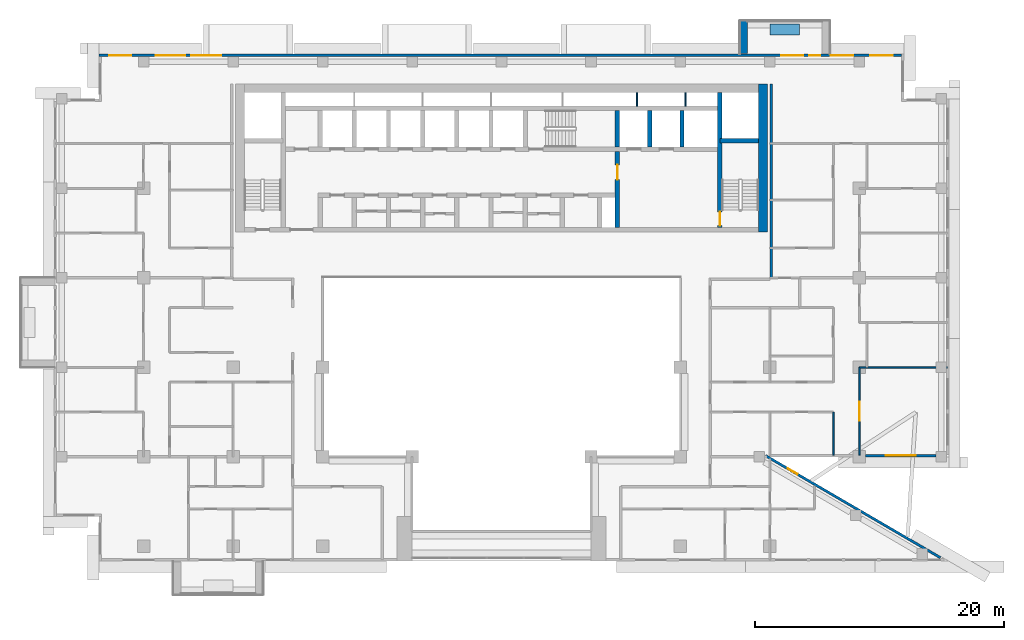
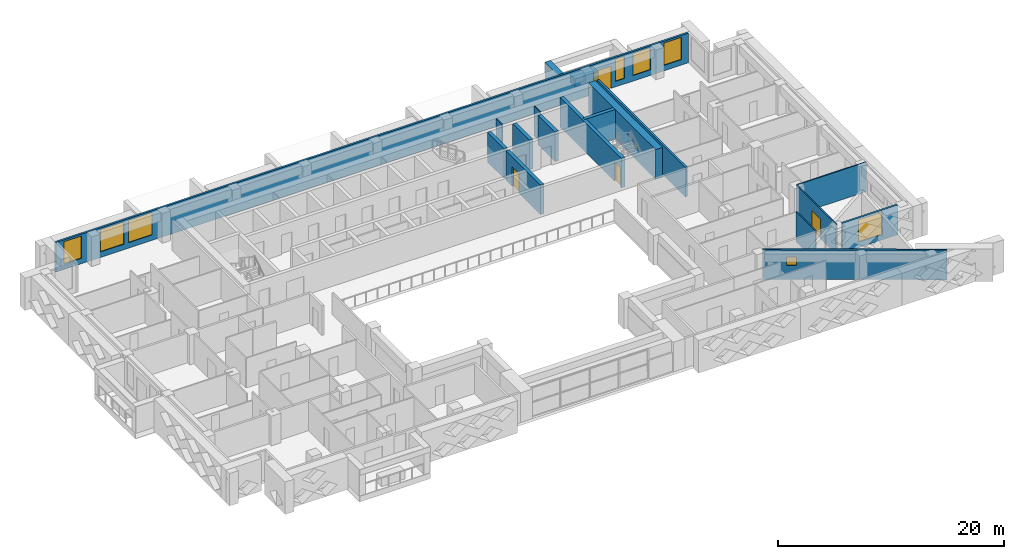
# One storey, part 11 of 20: 18 walls, 8 windows, 4 doors, 12 openings.
"""IFC4 building model written with IfcOpenShell, lengths in metres."""

from ifc_helpers import new_model, si_unit, direction, frame, frame_2d, origin, place, context, subcontext, project, spatial, rectangle, extrude, material, layer, layer_set, type_object, element, fill, save


model = new_model("IFC4")

# Units and contexts
model_context = context("Model", 3, precision=1e-05, world=origin(), true_north=direction((0.0, 1.0)))
body_context = subcontext(model_context, "Body", "Model", "MODEL_VIEW")
ifc_project = project(units=[si_unit("LENGTHUNIT", "METRE"), si_unit("AREAUNIT", "SQUARE_METRE"), si_unit("VOLUMEUNIT", "CUBIC_METRE"), si_unit("PLANEANGLEUNIT", "RADIAN"), si_unit("MASSUNIT", "GRAM", prefix="KILO")], contexts=[model_context])

# Site, building, storey
site_placement = place(None, origin())
site = spatial("IfcSite", under=ifc_project, at=site_placement, CompositionType="ELEMENT")
building_placement = place(site_placement, origin())
building = spatial("IfcBuilding", under=site, at=building_placement, Name="Saffron Iwan Residences", CompositionType="ELEMENT")
storey_placement = place(building_placement, frame((0.0, 0.0, 164.0)))
storey = spatial("IfcBuildingStorey", under=building, at=storey_placement, Name="L43", CompositionType="ELEMENT", Elevation=164.0)

# Walls
ifc_material_1 = material(Name="Concrete C50/60 white painted", Category="concrete")
ifc_layer_1 = layer(ifc_material_1, 0.60009765625)
ifc_layer_set_1 = layer_set([ifc_layer_1], Name="Concrete C50/60 white painted")
wall_type_1 = type_object("IfcWallType", Name="BALCONY FIN 600", PredefinedType="SOLIDWALL", material=ifc_layer_set_1)
wall_1_placement = place(storey_placement, frame((69.89990234375, 80.449951171875, 0.0), z_axis=(0.0, 0.0, 1.0), x_axis=(0.0, 1.0, 0.0)))
element("IfcWall", 1, at=wall_1_placement, inside=storey, type_object=wall_type_1, Name="Balcony fin L43 F5-0b", PredefinedType="SOLIDWALL", context=body_context, shape_type="SweptSolid", body=[
    extrude(rectangle(XDim=2.650146484375, YDim=0.60009765625, at=frame_2d((1.3251953125, 0.0))), origin(), (0.0, 0.0, 1.0), 2.85009765625),
])
ifc_material_2 = material(Name="Concrete C35/45 white painted", Category="concrete")
ifc_layer_2 = layer(ifc_material_2, 0.14990234375)
ifc_layer_set_2 = layer_set([ifc_layer_2], Name="Concrete C35/45 white painted")
wall_type_2 = type_object("IfcWallType", Name="BALCONY PLANTER", PredefinedType="SOLIDWALL", material=ifc_layer_set_2)
wall_2_placement = place(storey_placement, frame((74.39990234375, 82.375, 0.0), z_axis=(0.0, 0.0, 1.0), x_axis=(-1.0, 0.0, 0.0)))
element("IfcWall", 2, at=wall_2_placement, inside=storey, type_object=wall_type_2, Name="PLANTER L43 F5-0", PredefinedType="SOLIDWALL", context=body_context, shape_type="SweptSolid", body=[
    extrude(rectangle(XDim=2.39990234375, YDim=0.89990234375, at=frame_2d((1.199951171875, 0.0))), origin(), (0.0, 0.0, 1.0), 0.89990234375),
])

# Wall, opening, window
ifc_material_3 = material(Name="Concrete C40/50", Category="concrete")
ifc_layer_3 = layer(ifc_material_3, 0.199951171875)
ifc_layer_set_3 = layer_set([ifc_layer_3], Name="Concrete C40/50")
wall_type_3 = type_object("IfcWallType", Name="EXTERNAL WALL 200", PredefinedType="SOLIDWALL", material=ifc_layer_set_3)
wall_3_placement = place(storey_placement, frame((85.71923828125, 39.88134765625, 0.0), z_axis=(0.0, 0.0, 1.0), x_axis=(-0.86377618652, 0.503875678716, 0.0)))
wall_3 = element("IfcWall", 3, at=wall_3_placement, inside=storey, type_object=wall_type_3, Name="External wall L43 F0.0", PredefinedType="SOLIDWALL", context=body_context, shape_type="SweptSolid", body=[
    extrude(rectangle(XDim=16.31103515625, YDim=0.199951171875, at=frame_2d((8.155517578125, 0.0))), origin(), (0.0, 0.0, 1.0), 3.199951171875),
])
opening_1_placement = place(wall_3_placement, frame((13.32568359375, 0.0, 1.5)))
opening_1 = element("IfcOpeningElement", 4, at=opening_1_placement, cuts=wall_3, Name="Opening W6", PredefinedType="OPENING", context=body_context, shape_type="SweptSolid", body=[
    extrude(rectangle(XDim=0.89990234375, YDim=0.89990234375, at=frame_2d((0.449951171875, 0.449951171875))), frame((0.0, 0.10986328125, 0.0), z_axis=(0.0, -1.0, 0.0), x_axis=(1.0, 0.0, 0.0)), (0.0, 0.0, 1.0), 0.219970703125),
])
ifc_material_4 = material(Name="Clear glass, laminated double glazed", Category="glass")
window_type_1 = type_object("IfcWindowType", Name="WINDOW 900 x 900 BATH", PartitioningType="SINGLE_PANEL", PredefinedType="WINDOW", material=ifc_material_4)
window_1_placement = place(opening_1_placement, origin())
window_1 = element("IfcWindow", 5, at=window_1_placement, inside=storey, type_object=window_type_1, Name="Window L43 F0.0", OverallHeight=0.89990234375, OverallWidth=0.89990234375, PartitioningType="SINGLE_PANEL", PredefinedType="WINDOW", context=body_context, shape_type="SweptSolid", body=[
    extrude(rectangle(XDim=0.89990234375, YDim=0.89990234375, at=frame_2d((0.449951171875, 0.449951171875))), frame((0.0, 0.030029296875, 0.0), z_axis=(0.0, -1.0, 0.0), x_axis=(1.0, 0.0, 0.0)), (0.0, 0.0, 1.0), 0.06005859375),
])
fill(opening_1, window_1)

wall_4_placement = place(storey_placement, frame((79.699951171875, 48.10009765625, 0.0), z_axis=(0.0, 0.0, 1.0), x_axis=(1.0, 0.0, 0.0)))
wall_4 = element("IfcWall", 6, at=wall_4_placement, inside=storey, type_object=wall_type_3, Name="External wall L43 F1.1", PredefinedType="SOLIDWALL", context=body_context, shape_type="SweptSolid", body=[
    extrude(rectangle(XDim=5.675048828125, YDim=0.199951171875, at=frame_2d((2.83740234375, 0.0))), origin(), (0.0, 0.0, 1.0), 3.199951171875),
])
opening_2_placement = place(wall_4_placement, frame((1.637451171875, 0.0, 0.60009765625)))
opening_2 = element("IfcOpeningElement", 7, at=opening_2_placement, cuts=wall_4, Name="Opening W1", PredefinedType="OPENING", context=body_context, shape_type="SweptSolid", body=[
    extrude(rectangle(XDim=2.39990234375, YDim=2.39990234375, at=frame_2d((1.199951171875, 1.199951171875))), frame((0.0, 0.10986328125, 0.0), z_axis=(0.0, -1.0, 0.0), x_axis=(1.0, 0.0, 0.0)), (0.0, 0.0, 1.0), 0.219970703125),
])
window_type_2 = type_object("IfcWindowType", Name="WINDOW 2400 x 2400", PartitioningType="DOUBLE_PANEL_VERTICAL", PredefinedType="WINDOW", material=ifc_material_4)
window_2_placement = place(opening_2_placement, origin())
window_2 = element("IfcWindow", 8, at=window_2_placement, inside=storey, type_object=window_type_2, Name="Window L43 F1.0", OverallHeight=2.39990234375, OverallWidth=2.39990234375, PartitioningType="DOUBLE_PANEL_VERTICAL", PredefinedType="WINDOW", context=body_context, shape_type="SweptSolid", body=[
    extrude(rectangle(XDim=2.39990234375, YDim=2.39990234375, at=frame_2d((1.199951171875, 1.199951171875))), frame((0.0, 0.030029296875, 0.0), z_axis=(0.0, -1.0, 0.0), x_axis=(1.0, 0.0, 0.0)), (0.0, 0.0, 1.0), 0.06005859375),
])
fill(opening_2, window_2)

# Wall, openings, door, windows
wall_5_placement = place(storey_placement, frame((82.60009765625, 80.300048828125, 0.0), z_axis=(0.0, 0.0, 1.0), x_axis=(-1.0, 0.0, 0.0)))
wall_5 = element("IfcWall", 9, at=wall_5_placement, inside=storey, type_object=wall_type_3, Name="External wall L43 F5.0", PredefinedType="SOLIDWALL", context=body_context, shape_type="SweptSolid", body=[
    extrude(rectangle(XDim=64.60009765625, YDim=0.199951171875, at=frame_2d((32.300048828125, 0.0))), origin(), (0.0, 0.0, 1.0), 3.199951171875),
])
opening_3_placement = place(wall_5_placement, frame((7.89990234375, 0.0, 0.0)))
opening_3 = element("IfcOpeningElement", 10, at=opening_3_placement, cuts=wall_5, Name="Opening BD1", PredefinedType="OPENING", context=body_context, shape_type="SweptSolid", body=[
    extrude(rectangle(XDim=1.800048828125, YDim=2.39990234375, at=frame_2d((0.89990234375, 1.199951171875))), frame((0.0, 0.10986328125, 0.0), z_axis=(0.0, -1.0, 0.0), x_axis=(1.0, 0.0, 0.0)), (0.0, 0.0, 1.0), 0.219970703125),
])
opening_4_placement = place(wall_5_placement, frame((54.75830078125, 0.0, 0.60009765625)))
opening_4 = element("IfcOpeningElement", 11, at=opening_4_placement, cuts=wall_5, Name="Opening W1", PredefinedType="OPENING", context=body_context, shape_type="SweptSolid", body=[
    extrude(rectangle(XDim=2.39990234375, YDim=2.39990234375, at=frame_2d((1.199951171875, 1.199951171875))), frame((0.0, 0.10986328125, 0.0), z_axis=(0.0, -1.0, 0.0), x_axis=(1.0, 0.0, 0.0)), (0.0, 0.0, 1.0), 0.219970703125),
])
opening_5_placement = place(wall_5_placement, frame((57.6416015625, 0.0, 0.60009765625)))
opening_5 = element("IfcOpeningElement", 12, at=opening_5_placement, cuts=wall_5, Name="Opening W1", PredefinedType="OPENING", context=body_context, shape_type="SweptSolid", body=[
    extrude(rectangle(XDim=2.39990234375, YDim=2.39990234375, at=frame_2d((1.199951171875, 1.199951171875))), frame((0.0, 0.10986328125, 0.0), z_axis=(0.0, -1.0, 0.0), x_axis=(1.0, 0.0, 0.0)), (0.0, 0.0, 1.0), 0.219970703125),
])
opening_6_placement = place(wall_5_placement, frame((61.987548828125, 0.0, 0.60009765625)))
opening_6 = element("IfcOpeningElement", 13, at=opening_6_placement, cuts=wall_5, Name="Opening W8", PredefinedType="OPENING", context=body_context, shape_type="SweptSolid", body=[
    extrude(rectangle(XDim=1.800048828125, YDim=2.39990234375, at=frame_2d((0.89990234375, 1.199951171875))), frame((0.0, 0.10986328125, 0.0), z_axis=(0.0, -1.0, 0.0), x_axis=(1.0, 0.0, 0.0)), (0.0, 0.0, 1.0), 0.219970703125),
])
opening_7_placement = place(wall_5_placement, frame((0.71240234375, 0.0, 0.60009765625)))
opening_7 = element("IfcOpeningElement", 14, at=opening_7_placement, cuts=wall_5, Name="Opening W8", PredefinedType="OPENING", context=body_context, shape_type="SweptSolid", body=[
    extrude(rectangle(XDim=1.800048828125, YDim=2.39990234375, at=frame_2d((0.89990234375, 1.199951171875))), frame((0.0, 0.10986328125, 0.0), z_axis=(0.0, -1.0, 0.0), x_axis=(1.0, 0.0, 0.0)), (0.0, 0.0, 1.0), 0.219970703125),
])
opening_8_placement = place(wall_5_placement, frame((3.887451171875, 0.0, 0.60009765625)))
opening_8 = element("IfcOpeningElement", 15, at=opening_8_placement, cuts=wall_5, Name="Opening W8", PredefinedType="OPENING", context=body_context, shape_type="SweptSolid", body=[
    extrude(rectangle(XDim=1.800048828125, YDim=2.39990234375, at=frame_2d((0.89990234375, 1.199951171875))), frame((0.0, 0.10986328125, 0.0), z_axis=(0.0, -1.0, 0.0), x_axis=(1.0, 0.0, 0.0)), (0.0, 0.0, 1.0), 0.219970703125),
])
opening_9_placement = place(wall_5_placement, frame((6.550048828125, 0.0, 0.60009765625)))
opening_9 = element("IfcOpeningElement", 16, at=opening_9_placement, cuts=wall_5, Name="Opening W10", PredefinedType="OPENING", context=body_context, shape_type="SweptSolid", body=[
    extrude(rectangle(XDim=0.89990234375, YDim=2.39990234375, at=frame_2d((0.449951171875, 1.199951171875))), frame((0.0, 0.10986328125, 0.0), z_axis=(0.0, -1.0, 0.0), x_axis=(1.0, 0.0, 0.0)), (0.0, 0.0, 1.0), 0.219970703125),
])
door_type_1 = type_object("IfcDoorType", Name="BALCONY DOOR 1800 x 2400", OperationType="DOUBLE_DOOR_SLIDING", PredefinedType="DOOR", material=ifc_material_4)
door_1_placement = place(opening_3_placement, origin())
door_1 = element("IfcDoor", 17, at=door_1_placement, inside=storey, type_object=door_type_1, Name="Balcony door L43 F5.0", OperationType="DOUBLE_DOOR_SLIDING", OverallHeight=2.39990234375, OverallWidth=1.800048828125, PredefinedType="DOOR", context=body_context, shape_type="SweptSolid", body=[
    extrude(rectangle(XDim=1.800048828125, YDim=2.39990234375, at=frame_2d((0.89990234375, 1.199951171875))), frame((0.0, 0.02490234375, 0.0), z_axis=(0.0, -1.0, 0.0), x_axis=(1.0, 0.0, 0.0)), (0.0, 0.0, 1.0), 0.050048828125),
])
fill(opening_3, door_1)
window_type_3 = type_object("IfcWindowType", Name="WINDOW 1800 x 2400", PartitioningType="DOUBLE_PANEL_VERTICAL", PredefinedType="WINDOW", material=ifc_material_4)
window_3_placement = place(opening_6_placement, origin())
window_3 = element("IfcWindow", 18, at=window_3_placement, inside=storey, type_object=window_type_3, Name="Window L43 F5.3", OverallHeight=2.39990234375, OverallWidth=1.800048828125, PartitioningType="DOUBLE_PANEL_VERTICAL", PredefinedType="WINDOW", context=body_context, shape_type="SweptSolid", body=[
    extrude(rectangle(XDim=1.800048828125, YDim=2.39990234375, at=frame_2d((0.89990234375, 1.199951171875))), frame((0.0, 0.030029296875, 0.0), z_axis=(0.0, -1.0, 0.0), x_axis=(1.0, 0.0, 0.0)), (0.0, 0.0, 1.0), 0.06005859375),
])
fill(opening_6, window_3)
window_4_placement = place(opening_7_placement, origin())
window_4 = element("IfcWindow", 19, at=window_4_placement, inside=storey, type_object=window_type_3, Name="Window L43 F5.4", OverallHeight=2.39990234375, OverallWidth=1.800048828125, PartitioningType="DOUBLE_PANEL_VERTICAL", PredefinedType="WINDOW", context=body_context, shape_type="SweptSolid", body=[
    extrude(rectangle(XDim=1.800048828125, YDim=2.39990234375, at=frame_2d((0.89990234375, 1.199951171875))), frame((0.0, 0.030029296875, 0.0), z_axis=(0.0, -1.0, 0.0), x_axis=(1.0, 0.0, 0.0)), (0.0, 0.0, 1.0), 0.06005859375),
])
fill(opening_7, window_4)
window_5_placement = place(opening_8_placement, origin())
window_5 = element("IfcWindow", 20, at=window_5_placement, inside=storey, type_object=window_type_3, Name="Window L43 F5.5", OverallHeight=2.39990234375, OverallWidth=1.800048828125, PartitioningType="DOUBLE_PANEL_VERTICAL", PredefinedType="WINDOW", context=body_context, shape_type="SweptSolid", body=[
    extrude(rectangle(XDim=1.800048828125, YDim=2.39990234375, at=frame_2d((0.89990234375, 1.199951171875))), frame((0.0, 0.030029296875, 0.0), z_axis=(0.0, -1.0, 0.0), x_axis=(1.0, 0.0, 0.0)), (0.0, 0.0, 1.0), 0.06005859375),
])
fill(opening_8, window_5)
window_6_placement = place(opening_4_placement, origin())
window_6 = element("IfcWindow", 21, at=window_6_placement, inside=storey, type_object=window_type_2, Name="Window L43 F5.1", OverallHeight=2.39990234375, OverallWidth=2.39990234375, PartitioningType="DOUBLE_PANEL_VERTICAL", PredefinedType="WINDOW", context=body_context, shape_type="SweptSolid", body=[
    extrude(rectangle(XDim=2.39990234375, YDim=2.39990234375, at=frame_2d((1.199951171875, 1.199951171875))), frame((0.0, 0.030029296875, 0.0), z_axis=(0.0, -1.0, 0.0), x_axis=(1.0, 0.0, 0.0)), (0.0, 0.0, 1.0), 0.06005859375),
])
fill(opening_4, window_6)
window_7_placement = place(opening_5_placement, origin())
window_7 = element("IfcWindow", 22, at=window_7_placement, inside=storey, type_object=window_type_2, Name="Window L43 F5.2", OverallHeight=2.39990234375, OverallWidth=2.39990234375, PartitioningType="DOUBLE_PANEL_VERTICAL", PredefinedType="WINDOW", context=body_context, shape_type="SweptSolid", body=[
    extrude(rectangle(XDim=2.39990234375, YDim=2.39990234375, at=frame_2d((1.199951171875, 1.199951171875))), frame((0.0, 0.030029296875, 0.0), z_axis=(0.0, -1.0, 0.0), x_axis=(1.0, 0.0, 0.0)), (0.0, 0.0, 1.0), 0.06005859375),
])
fill(opening_5, window_7)
window_type_4 = type_object("IfcWindowType", Name="WINDOW 900 x 2400", PartitioningType="SINGLE_PANEL", PredefinedType="WINDOW", material=ifc_material_4)
window_8_placement = place(opening_9_placement, origin())
window_8 = element("IfcWindow", 23, at=window_8_placement, inside=storey, type_object=window_type_4, Name="Window L43 F5.6", OverallHeight=2.39990234375, OverallWidth=0.89990234375, PartitioningType="SINGLE_PANEL", PredefinedType="WINDOW", context=body_context, shape_type="SweptSolid", body=[
    extrude(rectangle(XDim=0.89990234375, YDim=2.39990234375, at=frame_2d((0.449951171875, 1.199951171875))), frame((0.0, 0.030029296875, 0.0), z_axis=(0.0, -1.0, 0.0), x_axis=(1.0, 0.0, 0.0)), (0.0, 0.0, 1.0), 0.06005859375),
])
fill(opening_9, window_8)

# Walls
ifc_material_5 = material(Name="Gypsum board partition")
ifc_layer_4 = layer(ifc_material_5, 0.1201171875)
ifc_layer_set_4 = layer_set([ifc_layer_4], Name="Gypsum board partition")
wall_type_4 = type_object("IfcWallType", Name="Flat partition 120", PredefinedType="PARTITIONING", material=ifc_layer_set_4)
wall_6_placement = place(storey_placement, frame((79.199951171875, 55.199951171875, 0.0), z_axis=(0.0, 0.0, 1.0), x_axis=(1.0, 0.0, 0.0)))
element("IfcWall", 24, at=wall_6_placement, inside=storey, type_object=wall_type_4, Name="W-L43-PART-h55.2-79.2", PredefinedType="PARTITIONING", context=body_context, shape_type="SweptSolid", body=[
    extrude(rectangle(XDim=7.074951171875, YDim=0.1201171875, at=frame_2d((3.53759765625, 0.0))), origin(), (0.0, 0.0, 1.0), 3.199951171875),
])
wall_7_placement = place(storey_placement, frame((77.10009765625, 48.125, 0.0), z_axis=(0.0, 0.0, 1.0), x_axis=(0.0, 1.0, 0.0)))
element("IfcWall", 25, at=wall_7_placement, inside=storey, type_object=wall_type_4, Name="W-L43-PART-v77.1-48.125", PredefinedType="PARTITIONING", context=body_context, shape_type="SweptSolid", body=[
    extrude(rectangle(XDim=3.47509765625, YDim=0.1201171875, at=frame_2d((1.737548828125, 0.0))), origin(), (0.0, 0.0, 1.0), 3.199951171875),
])

# Wall, opening, door
wall_8_placement = place(storey_placement, frame((79.199951171875, 48.125, 0.0), z_axis=(0.0, 0.0, 1.0), x_axis=(0.0, 1.0, 0.0)))
wall_8 = element("IfcWall", 26, at=wall_8_placement, inside=storey, type_object=wall_type_4, Name="W-L43-PART-v79.2-48.125", PredefinedType="PARTITIONING", context=body_context, shape_type="SweptSolid", body=[
    extrude(rectangle(XDim=7.074951171875, YDim=0.1201171875, at=frame_2d((3.53759765625, 0.0))), origin(), (0.0, 0.0, 1.0), 3.199951171875),
])
opening_10_placement = place(wall_8_placement, frame((2.78759765625, 0.0, 0.0)))
opening_10 = element("IfcOpeningElement", 27, at=opening_10_placement, cuts=wall_8, Name="Opening FD4", PredefinedType="OPENING", context=body_context, shape_type="SweptSolid", body=[
    extrude(rectangle(XDim=1.5, YDim=2.10009765625, at=frame_2d((0.75, 1.050048828125))), frame((0.0, 0.070068359375, 0.0), z_axis=(0.0, -1.0, 0.0), x_axis=(1.0, 0.0, 0.0)), (0.0, 0.0, 1.0), 0.14013671875),
])
ifc_material_6 = material(Name="Timber door", Category="wood")
door_type_2 = type_object("IfcDoorType", Name="Double door 1500", OperationType="NOTDEFINED", PredefinedType="DOOR", material=ifc_material_6)
door_2_placement = place(opening_10_placement, origin())
door_2 = element("IfcDoor", 28, at=door_2_placement, inside=storey, type_object=door_type_2, Name="Door L43-017", OperationType="SINGLE_SWING_LEFT", OverallHeight=2.10009765625, OverallWidth=1.5, PredefinedType="DOOR", context=body_context, shape_type="SweptSolid", body=[
    extrude(rectangle(XDim=1.5, YDim=2.10009765625, at=frame_2d((0.75, 1.050048828125))), frame((0.0, 0.02490234375, 0.0), z_axis=(0.0, -1.0, 0.0), x_axis=(1.0, 0.0, 0.0)), (0.0, 0.0, 1.0), 0.050048828125),
])
fill(opening_10, door_2)

# Walls
ifc_material_7 = material(Name="Fire-rated gypsum board wall")
ifc_layer_5 = layer(ifc_material_7, 0.199951171875)
ifc_layer_set_5 = layer_set([ifc_layer_5], Name="Fire-rated gypsum board wall")
wall_type_5 = type_object("IfcWallType", Name="Gallery wall 200", PredefinedType="SOLIDWALL", material=ifc_layer_set_5)
wall_9_placement = place(storey_placement, frame((72.10009765625, 62.39990234375, 0.0), z_axis=(0.0, 0.0, 1.0), x_axis=(0.0, 1.0, 0.0)))
element("IfcWall", 29, at=wall_9_placement, inside=storey, type_object=wall_type_5, Name="W-L43-CORR-v72-62.4", PredefinedType="SOLIDWALL", context=body_context, shape_type="SweptSolid", body=[
    extrude(rectangle(XDim=15.60009765625, YDim=0.199951171875, at=frame_2d((7.800048828125, 0.0))), origin(), (0.0, 0.0, 1.0), 3.199951171875),
])
ifc_material_8 = material(Name="Fire-rated plasterboard partition")
ifc_layer_6 = layer(ifc_material_8, 0.10009765625)
ifc_layer_set_6 = layer_set([ifc_layer_6], Name="Fire-rated plasterboard partition")
wall_type_6 = type_object("IfcWallType", Name="Riser partition 100", PredefinedType="PARTITIONING", material=ifc_layer_set_6)
for number, where, z_axis, x_axis, name in (
    (30, (61.300048828125, 76.22509765625, 0.0), (0.0, 0.0, 1.0), (0.0, 1.0, 0.0), "Core partition P10"),
    (31, (65.199951171875, 76.22509765625, 0.0), (0.0, 0.0, 1.0), (0.0, 1.0, 0.0), "Core partition P11"),
):
    element("IfcWall", number, at=place(storey_placement, frame(where, z_axis=z_axis, x_axis=x_axis)), inside=storey, type_object=wall_type_6, Name=name, PredefinedType="PARTITIONING", context=body_context, shape_type="SweptSolid", body=[
        extrude(rectangle(XDim=1.074951171875, YDim=0.10009765625, at=frame_2d((0.53759765625, 0.0))), origin(), (0.0, 0.0, 1.0), 3.199951171875),
    ])
ifc_material_9 = material(Name="Concrete C50/60", Category="concrete")
ifc_layer_7 = layer(ifc_material_9, 0.35009765625)
ifc_layer_set_7 = layer_set([ifc_layer_7], Name="Concrete C50/60")
wall_type_7 = type_object("IfcWallType", Name="WALL CORE 350 C50/60 3200 HIGH", PredefinedType="SHEAR", material=ifc_layer_set_7)
wall_10_placement = place(storey_placement, frame((67.97509765625, 73.425048828125, 0.0), z_axis=(0.0, 0.0, 1.0), x_axis=(1.0, 0.0, 0.0)))
element("IfcWall", 32, at=wall_10_placement, inside=storey, type_object=wall_type_7, Name="Core wall", PredefinedType="SHEAR", context=body_context, shape_type="SweptSolid", body=[
    extrude(rectangle(XDim=3.125, YDim=0.35009765625, at=frame_2d((1.5625, 0.0))), origin(), (0.0, 0.0, 1.0), 3.199951171875),
])

# Wall, opening, door
wall_11_placement = place(storey_placement, frame((67.97509765625, 66.449951171875, 0.0), z_axis=(0.0, 0.0, 1.0), x_axis=(0.0, 1.0, 0.0)))
wall_11 = element("IfcWall", 33, at=wall_11_placement, inside=storey, type_object=wall_type_7, Name="Core wall", PredefinedType="SHEAR", context=body_context, shape_type="SweptSolid", body=[
    extrude(rectangle(XDim=10.85009765625, YDim=0.35009765625, at=frame_2d((5.425048828125, 0.0))), origin(), (0.0, 0.0, 1.0), 3.199951171875),
])
opening_11_placement = place(wall_11_placement, frame((0.14990234375, 0.0, 0.0)))
opening_11 = element("IfcOpeningElement", 34, at=opening_11_placement, cuts=wall_11, Name="Opening SD", PredefinedType="OPENING", context=body_context, shape_type="SweptSolid", body=[
    extrude(rectangle(XDim=1.10009765625, YDim=2.10009765625, at=frame_2d((0.550048828125, 1.050048828125))), frame((0.0, 0.18505859375, 0.0), z_axis=(0.0, -1.0, 0.0), x_axis=(1.0, 0.0, 0.0)), (0.0, 0.0, 1.0), 0.3701171875),
])
ifc_material_10 = material(Name="Steel fire door", Category="steel")
door_type_3 = type_object("IfcDoorType", Name="Stair door 1100", OperationType="NOTDEFINED", PredefinedType="DOOR", material=ifc_material_10)
door_3_placement = place(opening_11_placement, origin())
door_3 = element("IfcDoor", 35, at=door_3_placement, inside=storey, type_object=door_type_3, Name="Stair door ST-E", OperationType="SINGLE_SWING_LEFT", OverallHeight=2.10009765625, OverallWidth=1.10009765625, PredefinedType="DOOR", context=body_context, shape_type="SweptSolid", body=[
    extrude(rectangle(XDim=1.10009765625, YDim=2.10009765625, at=frame_2d((0.550048828125, 1.050048828125))), frame((0.0, 0.02490234375, 0.0), z_axis=(0.0, -1.0, 0.0), x_axis=(1.0, 0.0, 0.0)), (0.0, 0.0, 1.0), 0.050048828125),
])
fill(opening_11, door_3)

wall_12_placement = place(storey_placement, frame((59.72509765625, 66.449951171875, 0.0), z_axis=(0.0, 0.0, 1.0), x_axis=(0.0, 1.0, 0.0)))
wall_12 = element("IfcWall", 36, at=wall_12_placement, inside=storey, type_object=wall_type_7, Name="Core wall", PredefinedType="SHEAR", context=body_context, shape_type="SweptSolid", body=[
    extrude(rectangle(XDim=6.125, YDim=0.35009765625, at=frame_2d((3.0625, 0.0))), origin(), (0.0, 0.0, 1.0), 3.199951171875),
])
opening_12_placement = place(wall_12_placement, frame((3.85009765625, 0.0, 0.0)))
opening_12 = element("IfcOpeningElement", 37, at=opening_12_placement, cuts=wall_12, Name="Opening FD", PredefinedType="OPENING", context=body_context, shape_type="SweptSolid", body=[
    extrude(rectangle(XDim=1.199951171875, YDim=2.10009765625, at=frame_2d((0.60009765625, 1.050048828125))), frame((0.0, 0.18505859375, 0.0), z_axis=(0.0, -1.0, 0.0), x_axis=(1.0, 0.0, 0.0)), (0.0, 0.0, 1.0), 0.3701171875),
])
door_type_4 = type_object("IfcDoorType", Name="Firefighting lobby door 1200", OperationType="NOTDEFINED", PredefinedType="DOOR", material=ifc_material_10)
door_4_placement = place(opening_12_placement, origin())
door_4 = element("IfcDoor", 38, at=door_4_placement, inside=storey, type_object=door_type_4, Name="Firefighting lobby door", OperationType="SINGLE_SWING_LEFT", OverallHeight=2.10009765625, OverallWidth=1.199951171875, PredefinedType="DOOR", context=body_context, shape_type="SweptSolid", body=[
    extrude(rectangle(XDim=1.199951171875, YDim=2.10009765625, at=frame_2d((0.60009765625, 1.050048828125))), frame((0.0, 0.02490234375, 0.0), z_axis=(0.0, -1.0, 0.0), x_axis=(1.0, 0.0, 0.0)), (0.0, 0.0, 1.0), 0.050048828125),
])
fill(opening_12, door_4)

# Walls
for number, where, z_axis, x_axis, name in (
    (39, (59.72509765625, 72.925048828125, 0.0), (0.0, 0.0, 1.0), (0.0, 1.0, 0.0), "Core wall"),
    (40, (62.324951171875, 72.925048828125, 0.0), (0.0, 0.0, 1.0), (0.0, 1.0, 0.0), "Core wall"),
    (41, (64.925048828125, 72.925048828125, 0.0), (0.0, 0.0, 1.0), (0.0, 1.0, 0.0), "Core wall"),
):
    element("IfcWall", number, at=place(storey_placement, frame(where, z_axis=z_axis, x_axis=x_axis)), inside=storey, type_object=wall_type_7, Name=name, PredefinedType="SHEAR", context=body_context, shape_type="SweptSolid", body=[
        extrude(rectangle(XDim=2.949951171875, YDim=0.35009765625, at=frame_2d((1.47509765625, 0.0))), origin(), (0.0, 0.0, 1.0), 3.199951171875),
    ])
ifc_layer_8 = layer(ifc_material_9, 0.699951171875)
ifc_layer_set_8 = layer_set([ifc_layer_8], Name="Concrete C50/60")
wall_type_8 = type_object("IfcWallType", Name="WALL CORE 700 C50/60 3200 HIGH", PredefinedType="SHEAR", material=ifc_layer_set_8)
wall_13_placement = place(storey_placement, frame((71.449951171875, 66.10009765625, 0.0), z_axis=(0.0, 0.0, 1.0), x_axis=(0.0, 1.0, 0.0)))
element("IfcWall", 42, at=wall_13_placement, inside=storey, type_object=wall_type_8, Name="Core wall", PredefinedType="SHEAR", context=body_context, shape_type="SweptSolid", body=[
    extrude(rectangle(XDim=11.89990234375, YDim=0.699951171875, at=frame_2d((5.949951171875, 0.0))), origin(), (0.0, 0.0, 1.0), 3.199951171875),
])

save(model, "model.ifc")
